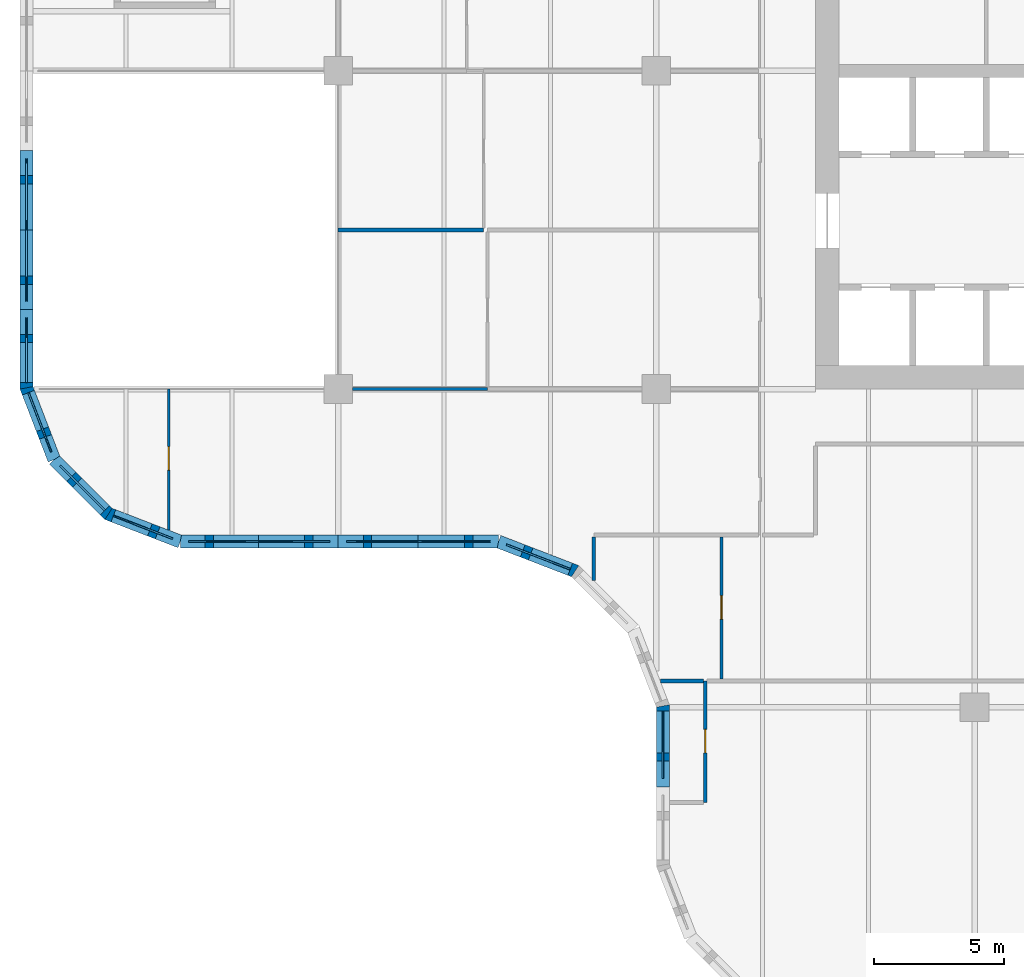
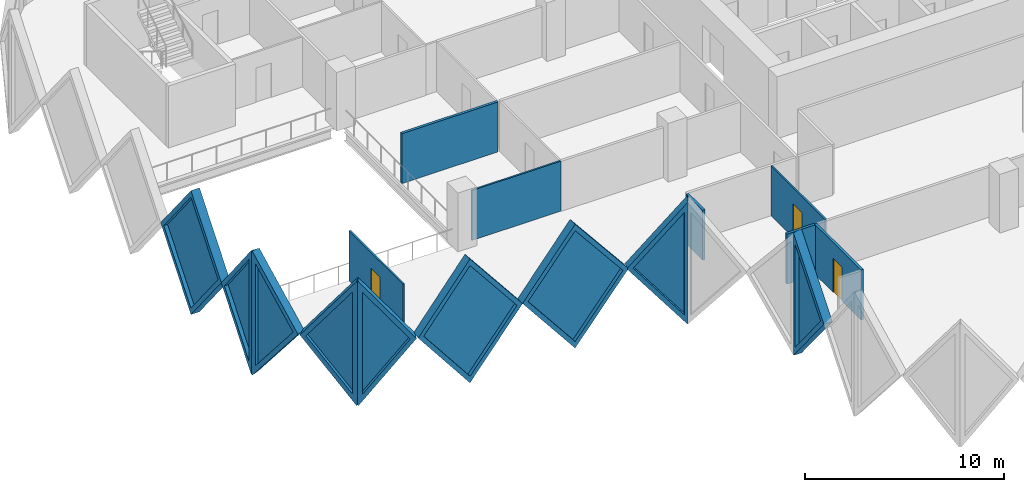
# One storey, part 4 of 18: 16 walls, 9 plates, 3 doors, 12 openings.
"""IFC4 building model written with IfcOpenShell, lengths in metres."""

from ifc_helpers import new_model, si_unit, direction, frame, frame_2d, origin, place, context, subcontext, project, spatial, polyline, rectangle, outline, extrude, faceted_brep, source, transform, mapped, material, layer, layer_set, type_object, element, fill, save


model = new_model("IFC4")

# Units and contexts
model_context = context("Model", 3, precision=1e-05, world=origin(), true_north=direction((0.0, 1.0)))
body_context = subcontext(model_context, "Body", "Model", "MODEL_VIEW")
ifc_project = project(units=[si_unit("LENGTHUNIT", "METRE"), si_unit("AREAUNIT", "SQUARE_METRE"), si_unit("VOLUMEUNIT", "CUBIC_METRE"), si_unit("PLANEANGLEUNIT", "RADIAN"), si_unit("MASSUNIT", "GRAM", prefix="KILO")], contexts=[model_context])

# Site, building, storey
site_placement = place(None, origin())
site = spatial("IfcSite", under=ifc_project, at=site_placement, CompositionType="ELEMENT")
building_placement = place(site_placement, origin())
building = spatial("IfcBuilding", under=site, at=building_placement, Name="Tessera Gate Towers", CompositionType="ELEMENT")
storey_placement = place(building_placement, frame((0.0, 0.0, 37.199951171875)))
storey = spatial("IfcBuildingStorey", under=building, at=storey_placement, Name="L08", CompositionType="ELEMENT", Elevation=37.199951171875)

# Wall, opening, door
ifc_material_1 = material(Name="Glass", Category="glass")
ifc_layer_1 = layer(ifc_material_1, 0.10009765625)
ifc_layer_set_1 = layer_set([ifc_layer_1], Name="GLAZED PARTITION 100")
wall_type_1 = type_object("IfcWallType", Name="GLAZED PARTITION 100", PredefinedType="PARTITIONING", material=ifc_layer_set_1)
wall_1_placement = place(storey_placement, frame((5.699951171875, 18.990234375, 0.0), z_axis=(0.0, 0.0, 1.0), x_axis=(0.0, 1.0, 0.0)))
wall_1 = element("IfcWall", 1, at=wall_1_placement, inside=storey, type_object=wall_type_1, Name="T1-L08-PW-021", PredefinedType="PARTITIONING", context=body_context, shape_type="SweptSolid", body=[
    extrude(rectangle(XDim=5.40966796875, YDim=0.10009765625, at=frame_2d((2.704833984375, 0.0))), origin(), (0.0, 0.0, 1.0), 3.067138671875),
])
shared_shape_1 = source(origin(), body_context, "Body", "SweptSolid", [
    extrude(rectangle(XDim=0.89990234375, YDim=2.10009765625, at=frame_2d((0.449951171875, 1.050048828125))), frame((0.0, 0.06005859375, 0.0), z_axis=(0.0, -1.0, 0.0), x_axis=(1.0, 0.0, 0.0)), (0.0, 0.0, 1.0), 0.1201171875),
])
opening_1_placement = place(wall_1_placement, frame((2.300048828125, 0.0, 0.0)))
opening_1 = element("IfcOpeningElement", 2, at=opening_1_placement, cuts=wall_1, Name="Opening D690-A03-01", PredefinedType="OPENING", context=body_context, shape_type="MappedRepresentation", body=[
    mapped(shared_shape_1, transform((0.0, 0.0, 0.0), scale=1.0)),
])
ifc_material_2 = material(Name="Glass in aluminium frame", Category="aluminium")
door_type_1 = type_object("IfcDoorType", Name="GLAZED DOOR 900 NOT RATED", OperationType="NOTDEFINED", PredefinedType="DOOR", material=ifc_material_2)
shared_shape_2 = source(origin(), body_context, "Body", "SweptSolid", [
    extrude(rectangle(XDim=0.89990234375, YDim=2.10009765625, at=frame_2d((0.449951171875, 1.050048828125))), frame((0.0, 0.02490234375, 0.0), z_axis=(0.0, -1.0, 0.0), x_axis=(1.0, 0.0, 0.0)), (0.0, 0.0, 1.0), 0.050048828125),
])
door_1_placement = place(opening_1_placement, origin())
door_1 = element("IfcDoor", 3, at=door_1_placement, inside=storey, type_object=door_type_1, Name="T1-L08-PD-008", OperationType="SINGLE_SWING_LEFT", OverallHeight=2.10009765625, OverallWidth=0.89990234375, PredefinedType="DOOR", context=body_context, shape_type="MappedRepresentation", body=[
    mapped(shared_shape_2, transform((0.0, 0.0, 0.0), scale=1.0)),
])
fill(opening_1, door_1)

# Wall
wall_2_placement = place(storey_placement, frame((12.7509765625, 24.39990234375, 0.0), z_axis=(0.0, 0.0, 1.0), x_axis=(1.0, 0.0, 0.0)))
element("IfcWall", 4, at=wall_2_placement, inside=storey, type_object=wall_type_1, Name="T1-L08-PW-026", PredefinedType="PARTITIONING", context=body_context, shape_type="SweptSolid", body=[
    extrude(rectangle(XDim=5.173095703125, YDim=0.10009765625, at=frame_2d((2.58642578125, 0.0))), origin(), (0.0, 0.0, 1.0), 3.067138671875),
])

# Wall, opening, door
ifc_material_3 = material(Name="Gypsum board on steel studs", Category="steel")
ifc_layer_2 = layer(ifc_material_3, 0.10009765625)
ifc_layer_set_2 = layer_set([ifc_layer_2], Name="PARTITION 100")
wall_type_2 = type_object("IfcWallType", Name="PARTITION 100", PredefinedType="PARTITIONING", material=ifc_layer_set_2)
wall_3_placement = place(storey_placement, frame((26.89990234375, 13.27587890625, 0.0), z_axis=(0.0, 0.0, 1.0), x_axis=(0.0, 1.0, 0.0)))
wall_3 = element("IfcWall", 5, at=wall_3_placement, inside=storey, type_object=wall_type_2, Name="T1-L08-PW-011", PredefinedType="PARTITIONING", context=body_context, shape_type="SweptSolid", body=[
    extrude(rectangle(XDim=5.4482421875, YDim=0.10009765625, at=frame_2d((2.72412109375, 0.0))), origin(), (0.0, 0.0, 1.0), 3.067138671875),
])
opening_2_placement = place(wall_3_placement, frame((2.300048828125, 0.0, 0.0)))
opening_2 = element("IfcOpeningElement", 6, at=opening_2_placement, cuts=wall_3, Name="Opening D190-A03-06", PredefinedType="OPENING", context=body_context, shape_type="MappedRepresentation", body=[
    mapped(shared_shape_1, transform((0.0, 0.0, 0.0), scale=1.0)),
])
ifc_material_4 = material(Name="Timber door leaf in steel frame", Category="steel")
door_type_2 = type_object("IfcDoorType", Name="INTERNAL DOOR 900 NOT RATED", OperationType="NOTDEFINED", PredefinedType="DOOR", material=ifc_material_4)
door_2_placement = place(opening_2_placement, origin())
door_2 = element("IfcDoor", 7, at=door_2_placement, inside=storey, type_object=door_type_2, Name="T1-L08-PD-009", OperationType="SINGLE_SWING_LEFT", OverallHeight=2.10009765625, OverallWidth=0.89990234375, PredefinedType="DOOR", context=body_context, shape_type="MappedRepresentation", body=[
    mapped(shared_shape_2, transform((0.0, 0.0, 0.0), scale=1.0)),
])
fill(opening_2, door_2)

ifc_material_5 = material(Name="Gypsum board on steel studs, mineral wool", Category="steel")
ifc_layer_3 = layer(ifc_material_5, 0.14990234375)
ifc_layer_set_3 = layer_set([ifc_layer_3], Name="TENANCY WALL 150")
wall_type_3 = type_object("IfcWallType", Name="TENANCY WALL 150", PredefinedType="PARTITIONING", material=ifc_layer_set_3)
wall_4_placement = place(storey_placement, frame((26.27490234375, 8.5478515625, 0.0), z_axis=(0.0, 0.0, 1.0), x_axis=(0.0, 1.0, 0.0)))
wall_4 = element("IfcWall", 8, at=wall_4_placement, inside=storey, type_object=wall_type_3, Name="T1-L08-PW-007", PredefinedType="PARTITIONING", context=body_context, shape_type="SweptSolid", body=[
    extrude(rectangle(XDim=4.652099609375, YDim=0.14990234375, at=frame_2d((2.326171875, 0.0))), origin(), (0.0, 0.0, 1.0), 3.067138671875),
])
shared_shape_3 = source(origin(), body_context, "Body", "SweptSolid", [
    extrude(rectangle(XDim=0.89990234375, YDim=2.10009765625, at=frame_2d((0.449951171875, 1.050048828125))), frame((0.0, 0.0849609375, 0.0), z_axis=(0.0, -1.0, 0.0), x_axis=(1.0, 0.0, 0.0)), (0.0, 0.0, 1.0), 0.169921875),
])
opening_3_placement = place(wall_4_placement, frame((1.89990234375, 0.0, 0.0)))
opening_3 = element("IfcOpeningElement", 9, at=opening_3_placement, cuts=wall_4, Name="Opening D190-A03-09", PredefinedType="OPENING", context=body_context, shape_type="MappedRepresentation", body=[
    mapped(shared_shape_3, transform((0.0, 0.0, 0.0), scale=1.0)),
])
door_3_placement = place(opening_3_placement, origin())
door_3 = element("IfcDoor", 10, at=door_3_placement, inside=storey, type_object=door_type_2, Name="T1-L08-PD-015", OperationType="SINGLE_SWING_LEFT", OverallHeight=2.10009765625, OverallWidth=0.89990234375, PredefinedType="DOOR", context=body_context, shape_type="MappedRepresentation", body=[
    mapped(shared_shape_2, transform((0.0, 0.0, 0.0), scale=1.0)),
])
fill(opening_3, door_3)

# Walls
wall_5_placement = place(storey_placement, frame((24.55029296875, 13.199951171875, 0.0), z_axis=(0.0, 0.0, 1.0), x_axis=(1.0, 0.0, 0.0)))
element("IfcWall", 11, at=wall_5_placement, inside=storey, type_object=wall_type_3, Name="T1-L08-PW-009", PredefinedType="PARTITIONING", context=body_context, shape_type="SweptSolid", body=[
    extrude(rectangle(XDim=1.648681640625, YDim=0.14990234375, at=frame_2d((0.82421875, 0.0))), origin(), (0.0, 0.0, 1.0), 3.067138671875),
])
wall_6_placement = place(storey_placement, frame((22.0, 17.054931640625, 0.0), z_axis=(0.0, 0.0, 1.0), x_axis=(0.0, 1.0, 0.0)))
element("IfcWall", 12, at=wall_6_placement, inside=storey, type_object=wall_type_3, Name="T1-L08-PW-015", PredefinedType="PARTITIONING", context=body_context, shape_type="SweptSolid", body=[
    extrude(rectangle(XDim=1.669189453125, YDim=0.14990234375, at=frame_2d((0.83447265625, 0.0))), origin(), (0.0, 0.0, 1.0), 3.067138671875),
])
wall_7_placement = place(storey_placement, frame((12.199951171875, 30.5, 0.0), z_axis=(0.0, 0.0, 1.0), x_axis=(1.0, 0.0, 0.0)))
element("IfcWall", 13, at=wall_7_placement, inside=storey, type_object=wall_type_3, Name="T1-L08-PW-030", PredefinedType="PARTITIONING", context=body_context, shape_type="SweptSolid", body=[
    extrude(rectangle(XDim=5.574951171875, YDim=0.14990234375, at=frame_2d((2.78759765625, 0.0))), origin(), (0.0, 0.0, 1.0), 3.067138671875),
])

# Wall, opening, plate
ifc_material_6 = material(Name="Precast concrete C60/75 white", Category="concrete")
ifc_layer_4 = layer(ifc_material_6, 0.5)
ifc_layer_set_4 = layer_set([ifc_layer_4], Name="TS1 tessera")
wall_type_4 = type_object("IfcWallType", Name="TS1 tessera", PredefinedType="SOLIDWALL", material=ifc_layer_set_4)
shared_shape_4 = source(origin(), body_context, "Body", "Brep", [
    faceted_brep([(3.00341796875, -0.25, 0.0), (6.053466796875, -0.25, 3.800048828125), (3.00341796875, -0.25, 7.60009765625), (0.0, -0.25, 3.800048828125), (0.046630859375, 0.25, 3.85888671875), (3.00341796875, 0.25, 7.60009765625), (6.053466796875, 0.25, 3.800048828125), (3.00341796875, 0.25, 0.0), (0.046630859375, 0.25, 3.7412109375), (0.0, 0.0, 3.800048828125)], [[[0, 1, 2, 3]], [[4, 5, 6, 7, 8]], [[7, 6, 1, 0]], [[6, 5, 2, 1]], [[5, 4, 9, 3, 2]], [[8, 7, 0, 3, 9]], [[8, 9, 4]]]),
])
wall_8_placement = place(storey_placement, frame((6.146484375, 18.550048828125, -3.800048828125), z_axis=(0.0, 0.0, 1.0), x_axis=(1.0, 0.0, 0.0)))
wall_8 = element("IfcWall", 14, at=wall_8_placement, inside=storey, type_object=wall_type_4, Name="Precast tessera T1 TS1-0090", PredefinedType="SOLIDWALL", context=body_context, shape_type="MappedRepresentation", body=[
    mapped(shared_shape_4, transform((0.0, 0.0, 0.0), scale=1.0)),
])
shared_shape_5 = source(origin(), body_context, "Body", "SweptSolid", [
    extrude(outline(polyline([(3.0048828125, 0.4013671875), (5.73291015625, 3.800048828125), (3.0048828125, 7.19873046875), (0.318603515625, 3.800048828125), (3.0048828125, 0.4013671875)])), frame((0.0, 0.260009765625, 0.0), z_axis=(0.0, -1.0, 0.0), x_axis=(1.0, 0.0, 0.0)), (0.0, 0.0, 1.0), 0.52001953125),
])
opening_4_placement = place(wall_8_placement, origin())
opening_4 = element("IfcOpeningElement", 15, at=opening_4_placement, cuts=wall_8, Name="Opening T1-PL2-0178", PredefinedType="OPENING", context=body_context, shape_type="MappedRepresentation", body=[
    mapped(shared_shape_5, transform((0.0, 0.0, 0.0), scale=1.0)),
])
ifc_material_7 = material(Name="Low-e laminated glass", Category="glass")
ifc_layer_5 = layer(ifc_material_7, 0.06005859375)
ifc_layer_set_5 = layer_set([ifc_layer_5], Name="PL2 rhombic pane")
plate_type = type_object("IfcPlateType", Name="PL2 rhombic pane", PredefinedType="SHEET", material=ifc_layer_set_5)
shared_shape_6 = source(origin(), body_context, "Body", "SweptSolid", [
    extrude(outline(polyline([(3.0048828125, 0.4013671875), (5.73291015625, 3.800048828125), (3.0048828125, 7.19873046875), (0.318603515625, 3.800048828125), (3.0048828125, 0.4013671875)])), frame((0.0, 0.030029296875, 0.0), z_axis=(0.0, -1.0, 0.0), x_axis=(1.0, 0.0, 0.0)), (0.0, 0.0, 1.0), 0.06005859375),
])
plate_1_placement = place(opening_4_placement, origin())
plate_1 = element("IfcPlate", 16, at=plate_1_placement, inside=storey, type_object=plate_type, Name="Glass pane T1 PL2-0178", PredefinedType="SHEET", context=body_context, shape_type="MappedRepresentation", body=[
    mapped(shared_shape_6, transform((0.0, 0.0, 0.0), scale=1.0)),
])
fill(opening_4, plate_1)

shared_shape_7 = source(origin(), body_context, "Body", "SweptSolid", [
    extrude(outline(polyline([(3.050048828125, 0.0), (6.10009765625, 3.800048828125), (3.050048828125, 7.60009765625), (0.0, 3.800048828125), (3.050048828125, 0.0)])), frame((0.0, 0.25, 0.0), z_axis=(0.0, -1.0, 0.0), x_axis=(1.0, 0.0, 0.0)), (0.0, 0.0, 1.0), 0.5),
])
wall_9_placement = place(storey_placement, frame((0.25, 33.550048828125, -3.800048828125), z_axis=(0.0, 0.0, 1.0), x_axis=(0.0, -1.0, 0.0)))
wall_9 = element("IfcWall", 17, at=wall_9_placement, inside=storey, type_object=wall_type_4, Name="Precast tessera T1 TS1-0089", PredefinedType="SOLIDWALL", context=body_context, shape_type="MappedRepresentation", body=[
    mapped(shared_shape_7, transform((0.0, 0.0, 0.0), scale=1.0)),
])
shared_shape_8 = source(origin(), body_context, "Body", "SweptSolid", [
    extrude(outline(polyline([(3.050048828125, 0.3994140625), (5.779541015625, 3.800048828125), (3.050048828125, 7.20068359375), (0.320556640625, 3.800048828125), (3.050048828125, 0.3994140625)])), frame((0.0, 0.260009765625, 0.0), z_axis=(0.0, -1.0, 0.0), x_axis=(1.0, 0.0, 0.0)), (0.0, 0.0, 1.0), 0.52001953125),
])
opening_5_placement = place(wall_9_placement, origin())
opening_5 = element("IfcOpeningElement", 18, at=opening_5_placement, cuts=wall_9, Name="Opening T1-PL2-0173", PredefinedType="OPENING", context=body_context, shape_type="MappedRepresentation", body=[
    mapped(shared_shape_8, transform((0.0, 0.0, 0.0), scale=1.0)),
])
shared_shape_9 = source(origin(), body_context, "Body", "SweptSolid", [
    extrude(outline(polyline([(3.050048828125, 0.3994140625), (5.779541015625, 3.800048828125), (3.050048828125, 7.20068359375), (0.320556640625, 3.800048828125), (3.050048828125, 0.3994140625)])), frame((0.0, 0.030029296875, 0.0), z_axis=(0.0, -1.0, 0.0), x_axis=(1.0, 0.0, 0.0)), (0.0, 0.0, 1.0), 0.06005859375),
])
plate_2_placement = place(opening_5_placement, origin())
plate_2 = element("IfcPlate", 19, at=plate_2_placement, inside=storey, type_object=plate_type, Name="Glass pane T1 PL2-0173", PredefinedType="SHEET", context=body_context, shape_type="MappedRepresentation", body=[
    mapped(shared_shape_9, transform((0.0, 0.0, 0.0), scale=1.0)),
])
fill(opening_5, plate_2)

ifc_material_8 = material(Name="Precast concrete C60/75 white", Category="concrete")
ifc_layer_6 = layer(ifc_material_8, 0.5)
ifc_layer_set_6 = layer_set([ifc_layer_6], Name="TS3 corner tessera")
wall_type_5 = type_object("IfcWallType", Name="TS3 corner tessera", PredefinedType="SOLIDWALL", material=ifc_layer_set_6)
shared_shape_10 = source(origin(), body_context, "Body", "Brep", [
    faceted_brep([(3.00341796875, -0.25, 0.0), (3.050048828125, -0.25, 0.06005859375), (3.050048828125, -0.25, 7.5400390625), (3.00341796875, -0.25, 7.60009765625), (0.0, -0.25, 3.800048828125), (0.0, 0.25, 3.800048828125), (2.956787109375, 0.25, 7.541259765625), (2.956787109375, 0.25, 0.058837890625), (3.00341796875, 0.000244140625, 0.0), (3.00341796875, 0.000244140625, 7.60009765625)], [[[0, 1, 2, 3, 4]], [[5, 6, 7]], [[1, 0, 8]], [[9, 3, 2]], [[6, 5, 4, 3, 9]], [[5, 7, 8, 0, 4]], [[1, 8, 7, 6, 9, 2]]]),
])
wall_10_placement = place(storey_placement, frame((0.25, 27.449951171875, -3.800048828125), z_axis=(0.0, 0.0, 1.0), x_axis=(0.0, -1.0, 0.0)))
wall_10 = element("IfcWall", 20, at=wall_10_placement, inside=storey, type_object=wall_type_5, Name="Precast corner tessera T1 TS3-0157", PredefinedType="SOLIDWALL", context=body_context, shape_type="MappedRepresentation", body=[
    mapped(shared_shape_10, transform((0.0, 0.0, 0.0), scale=1.0)),
])
shared_shape_11 = source(origin(), body_context, "Body", "SweptSolid", [
    extrude(outline(polyline([(2.803466796875, 6.94384765625), (0.318603515625, 3.800048828125), (2.803466796875, 0.65625), (2.803466796875, 6.94384765625)])), frame((0.0, 0.260009765625, 0.0), z_axis=(0.0, -1.0, 0.0), x_axis=(1.0, 0.0, 0.0)), (0.0, 0.0, 1.0), 0.52001953125),
])
opening_6_placement = place(wall_10_placement, origin())
opening_6 = element("IfcOpeningElement", 21, at=opening_6_placement, cuts=wall_10, Name="Opening T1-PL2-0174", PredefinedType="OPENING", context=body_context, shape_type="MappedRepresentation", body=[
    mapped(shared_shape_11, transform((0.0, 0.0, 0.0), scale=1.0)),
])
shared_shape_12 = source(origin(), body_context, "Body", "SweptSolid", [
    extrude(outline(polyline([(2.803466796875, 6.94384765625), (0.318603515625, 3.800048828125), (2.803466796875, 0.65625), (2.803466796875, 6.94384765625)])), frame((0.0, 0.030029296875, 0.0), z_axis=(0.0, -1.0, 0.0), x_axis=(1.0, 0.0, 0.0)), (0.0, 0.0, 1.0), 0.06005859375),
])
plate_3_placement = place(opening_6_placement, origin())
plate_3 = element("IfcPlate", 22, at=plate_3_placement, inside=storey, type_object=plate_type, Name="Glass pane T1 PL2-0174", PredefinedType="SHEET", context=body_context, shape_type="MappedRepresentation", body=[
    mapped(shared_shape_12, transform((0.0, 0.0, 0.0), scale=1.0)),
])
fill(opening_6, plate_3)

shared_shape_13 = source(origin(), body_context, "Body", "Brep", [
    faceted_brep([(0.046630859375, -0.25, 0.0), (2.9970703125, -0.25, 3.800048828125), (0.046630859375, -0.25, 7.60009765625), (0.0, -0.25, 7.541259765625), (0.0, -0.25, 0.058837890625), (0.09326171875, 0.25, 7.5400390625), (2.9443359375, 0.25, 3.8681640625), (2.9443359375, 0.25, 3.73193359375), (0.09326171875, 0.25, 0.06005859375), (2.9970703125, 0.00048828125, 3.800048828125), (0.046630859375, 0.0, 0.0), (0.046630859375, 0.0, 7.60009765625)], [[[0, 1, 2, 3, 4]], [[5, 6, 7, 8]], [[8, 7, 9, 1, 0, 10]], [[6, 5, 11, 2, 1, 9]], [[3, 2, 11]], [[10, 0, 4]], [[8, 10, 4, 3, 11, 5]], [[9, 7, 6]]]),
])
wall_11_placement = place(storey_placement, frame((0.233154296875, 24.489990234375, -3.800048828125), z_axis=(0.0, 0.0, 1.0), x_axis=(0.359901446078, -0.932990326376, 0.0)))
wall_11 = element("IfcWall", 23, at=wall_11_placement, inside=storey, type_object=wall_type_5, Name="Precast corner tessera T1 TS3-0158", PredefinedType="SOLIDWALL", context=body_context, shape_type="MappedRepresentation", body=[
    mapped(shared_shape_13, transform((0.0, 0.0, 0.0), scale=1.0)),
])
shared_shape_14 = source(origin(), body_context, "Body", "SweptSolid", [
    extrude(outline(polyline([(0.24658203125, 0.665283203125), (2.6806640625, 3.800048828125), (0.24658203125, 6.934814453125), (0.24658203125, 0.665283203125)])), frame((0.0, 0.260009765625, 0.0), z_axis=(0.0, -1.0, 0.0), x_axis=(1.0, 0.0, 0.0)), (0.0, 0.0, 1.0), 0.52001953125),
])
opening_7_placement = place(wall_11_placement, origin())
opening_7 = element("IfcOpeningElement", 24, at=opening_7_placement, cuts=wall_11, Name="Opening T1-PL2-0175", PredefinedType="OPENING", context=body_context, shape_type="MappedRepresentation", body=[
    mapped(shared_shape_14, transform((0.0, 0.0, 0.0), scale=1.0)),
])
shared_shape_15 = source(origin(), body_context, "Body", "SweptSolid", [
    extrude(outline(polyline([(0.24658203125, 0.665283203125), (2.6806640625, 3.800048828125), (0.24658203125, 6.934814453125), (0.24658203125, 0.665283203125)])), frame((0.0, 0.030029296875, 0.0), z_axis=(0.0, -1.0, 0.0), x_axis=(1.0, 0.0, 0.0)), (0.0, 0.0, 1.0), 0.06005859375),
])
plate_4_placement = place(opening_7_placement, origin())
plate_4 = element("IfcPlate", 25, at=plate_4_placement, inside=storey, type_object=plate_type, Name="Glass pane T1 PL2-0175", PredefinedType="SHEET", context=body_context, shape_type="MappedRepresentation", body=[
    mapped(shared_shape_15, transform((0.0, 0.0, 0.0), scale=1.0)),
])
fill(opening_7, plate_4)

shared_shape_16 = source(origin(), body_context, "Body", "Brep", [
    faceted_brep([(0.052978515625, -0.25, 0.0), (3.00341796875, -0.25, 3.800048828125), (0.052978515625, -0.25, 7.60009765625), (0.0, -0.25, 7.53173828125), (0.0, -0.25, 0.068359375), (0.10595703125, 0.25, 7.531982421875), (2.95703125, 0.25, 3.85986328125), (2.95703125, 0.25, 3.740234375), (0.10595703125, 0.25, 0.068115234375), (3.00341796875, 0.00048828125, 3.800048828125), (0.052978515625, 0.0, 0.0), (0.052978515625, 0.0, 7.60009765625)], [[[0, 1, 2, 3, 4]], [[5, 6, 7, 8]], [[8, 7, 9, 1, 0, 10]], [[6, 5, 11, 2, 1, 9]], [[3, 2, 11]], [[10, 0, 4]], [[8, 10, 4, 3, 11, 5]], [[9, 7, 6]]]),
])
wall_12_placement = place(storey_placement, frame((3.34423828125, 19.630859375, -3.800048828125), z_axis=(0.0, 0.0, 1.0), x_axis=(0.933007896601, -0.359855894603, 0.0)))
wall_12 = element("IfcWall", 26, at=wall_12_placement, inside=storey, type_object=wall_type_5, Name="Precast corner tessera T1 TS3-0160", PredefinedType="SOLIDWALL", context=body_context, shape_type="MappedRepresentation", body=[
    mapped(shared_shape_16, transform((0.0, 0.0, 0.0), scale=1.0)),
])
shared_shape_17 = source(origin(), body_context, "Body", "SweptSolid", [
    extrude(outline(polyline([(0.2529296875, 0.665283203125), (2.68701171875, 3.800048828125), (0.2529296875, 6.934814453125), (0.2529296875, 0.665283203125)])), frame((0.0, 0.260009765625, 0.0), z_axis=(0.0, -1.0, 0.0), x_axis=(1.0, 0.0, 0.0)), (0.0, 0.0, 1.0), 0.52001953125),
])
opening_8_placement = place(wall_12_placement, origin())
opening_8 = element("IfcOpeningElement", 27, at=opening_8_placement, cuts=wall_12, Name="Opening T1-PL2-0177", PredefinedType="OPENING", context=body_context, shape_type="MappedRepresentation", body=[
    mapped(shared_shape_17, transform((0.0, 0.0, 0.0), scale=1.0)),
])
shared_shape_18 = source(origin(), body_context, "Body", "SweptSolid", [
    extrude(outline(polyline([(0.2529296875, 0.665283203125), (2.68701171875, 3.800048828125), (0.2529296875, 6.934814453125), (0.2529296875, 0.665283203125)])), frame((0.0, 0.030029296875, 0.0), z_axis=(0.0, -1.0, 0.0), x_axis=(1.0, 0.0, 0.0)), (0.0, 0.0, 1.0), 0.06005859375),
])
plate_5_placement = place(opening_8_placement, origin())
plate_5 = element("IfcPlate", 28, at=plate_5_placement, inside=storey, type_object=plate_type, Name="Glass pane T1 PL2-0177", PredefinedType="SHEET", context=body_context, shape_type="MappedRepresentation", body=[
    mapped(shared_shape_18, transform((0.0, 0.0, 0.0), scale=1.0)),
])
fill(opening_8, plate_5)

shared_shape_19 = source(origin(), body_context, "Body", "Brep", [
    faceted_brep([(2.944091796875, -0.25, 0.0), (2.9970703125, -0.25, 0.068115234375), (2.9970703125, -0.25, 7.531982421875), (2.944091796875, -0.25, 7.60009765625), (0.0, -0.25, 3.800048828125), (0.052978515625, 0.25, 3.868408203125), (2.89111328125, 0.25, 7.531982421875), (2.89111328125, 0.25, 0.068115234375), (0.052978515625, 0.25, 3.731689453125), (2.944091796875, 0.000244140625, 0.0), (2.944091796875, 0.000244140625, 7.60009765625), (0.0, 0.0, 3.800048828125)], [[[0, 1, 2, 3, 4]], [[5, 6, 7, 8]], [[1, 0, 9]], [[10, 3, 2]], [[6, 5, 11, 4, 3, 10]], [[8, 7, 9, 0, 4, 11]], [[8, 11, 5]], [[1, 9, 7, 6, 10, 2]]]),
])
wall_13_placement = place(storey_placement, frame((1.31201171875, 21.69384765625, -3.800048828125), z_axis=(0.0, 0.0, 1.0), x_axis=(0.707066050402, -0.707147509625, 0.0)))
wall_13 = element("IfcWall", 29, at=wall_13_placement, inside=storey, type_object=wall_type_5, Name="Precast corner tessera T1 TS3-0159", PredefinedType="SOLIDWALL", context=body_context, shape_type="MappedRepresentation", body=[
    mapped(shared_shape_19, transform((0.0, 0.0, 0.0), scale=1.0)),
])
shared_shape_20 = source(origin(), body_context, "Body", "SweptSolid", [
    extrude(outline(polyline([(2.744140625, 6.933837890625), (0.316162109375, 3.800048828125), (2.744140625, 0.66650390625), (2.744140625, 6.933837890625)])), frame((0.0, 0.260009765625, 0.0), z_axis=(0.0, -1.0, 0.0), x_axis=(1.0, 0.0, 0.0)), (0.0, 0.0, 1.0), 0.52001953125),
])
opening_9_placement = place(wall_13_placement, origin())
opening_9 = element("IfcOpeningElement", 30, at=opening_9_placement, cuts=wall_13, Name="Opening T1-PL2-0176", PredefinedType="OPENING", context=body_context, shape_type="MappedRepresentation", body=[
    mapped(shared_shape_20, transform((0.0, 0.0, 0.0), scale=1.0)),
])
shared_shape_21 = source(origin(), body_context, "Body", "SweptSolid", [
    extrude(outline(polyline([(2.744140625, 6.933837890625), (0.316162109375, 3.800048828125), (2.744140625, 0.66650390625), (2.744140625, 6.933837890625)])), frame((0.0, 0.030029296875, 0.0), z_axis=(0.0, -1.0, 0.0), x_axis=(1.0, 0.0, 0.0)), (0.0, 0.0, 1.0), 0.06005859375),
])
plate_6_placement = place(opening_9_placement, origin())
plate_6 = element("IfcPlate", 31, at=plate_6_placement, inside=storey, type_object=plate_type, Name="Glass pane T1 PL2-0176", PredefinedType="SHEET", context=body_context, shape_type="MappedRepresentation", body=[
    mapped(shared_shape_21, transform((0.0, 0.0, 0.0), scale=1.0)),
])
fill(opening_9, plate_6)

shared_shape_22 = source(origin(), body_context, "Body", "Brep", [
    faceted_brep([(3.050048828125, -0.25, 0.0), (6.10009765625, -0.25, 3.742919921875), (6.10009765625, -0.25, 3.857177734375), (3.050048828125, -0.25, 7.60009765625), (0.0, -0.25, 3.800048828125), (0.0, 0.25, 3.800048828125), (3.050048828125, 0.25, 7.60009765625), (6.146484375, 0.25, 3.800048828125), (3.050048828125, 0.25, 0.0), (6.146484375, -0.000244140625, 3.800048828125)], [[[0, 1, 2, 3, 4]], [[5, 6, 7, 8]], [[8, 7, 9, 1, 0]], [[7, 6, 3, 2, 9]], [[6, 5, 4, 3]], [[5, 8, 0, 4]], [[1, 9, 2]]]),
])
wall_14_placement = place(storey_placement, frame((12.199951171875, 18.550048828125, -3.800048828125), z_axis=(0.0, 0.0, 1.0), x_axis=(1.0, 0.0, 0.0)))
wall_14 = element("IfcWall", 32, at=wall_14_placement, inside=storey, type_object=wall_type_4, Name="Precast tessera T1 TS1-0091", PredefinedType="SOLIDWALL", context=body_context, shape_type="MappedRepresentation", body=[
    mapped(shared_shape_22, transform((0.0, 0.0, 0.0), scale=1.0)),
])
shared_shape_23 = source(origin(), body_context, "Body", "SweptSolid", [
    extrude(outline(polyline([(3.051513671875, 0.397705078125), (5.823974609375, 3.800048828125), (3.051513671875, 7.20263671875), (0.320556640625, 3.800048828125), (3.051513671875, 0.397705078125)])), frame((0.0, 0.260009765625, 0.0), z_axis=(0.0, -1.0, 0.0), x_axis=(1.0, 0.0, 0.0)), (0.0, 0.0, 1.0), 0.52001953125),
])
opening_10_placement = place(wall_14_placement, origin())
opening_10 = element("IfcOpeningElement", 33, at=opening_10_placement, cuts=wall_14, Name="Opening T1-PL2-0179", PredefinedType="OPENING", context=body_context, shape_type="MappedRepresentation", body=[
    mapped(shared_shape_23, transform((0.0, 0.0, 0.0), scale=1.0)),
])
shared_shape_24 = source(origin(), body_context, "Body", "SweptSolid", [
    extrude(outline(polyline([(3.051513671875, 0.397705078125), (5.823974609375, 3.800048828125), (3.051513671875, 7.20263671875), (0.320556640625, 3.800048828125), (3.051513671875, 0.397705078125)])), frame((0.0, 0.030029296875, 0.0), z_axis=(0.0, -1.0, 0.0), x_axis=(1.0, 0.0, 0.0)), (0.0, 0.0, 1.0), 0.06005859375),
])
plate_7_placement = place(opening_10_placement, origin())
plate_7 = element("IfcPlate", 34, at=plate_7_placement, inside=storey, type_object=plate_type, Name="Glass pane T1 PL2-0179", PredefinedType="SHEET", context=body_context, shape_type="MappedRepresentation", body=[
    mapped(shared_shape_24, transform((0.0, 0.0, 0.0), scale=1.0)),
])
fill(opening_10, plate_7)

shared_shape_25 = source(origin(), body_context, "Body", "Brep", [
    faceted_brep([(3.096435546875, -0.25, 7.536376953125), (0.046630859375, -0.25, 3.856201171875), (0.046630859375, -0.25, 3.743896484375), (3.096435546875, -0.25, 0.063720703125), (0.0, 0.25, 3.800048828125), (3.1494140625, 0.25, 7.60009765625), (3.202392578125, 0.25, 7.536376953125), (3.202392578125, 0.25, 0.063720703125), (3.1494140625, 0.25, 0.0), (3.1494140625, -0.000244140625, 0.0), (3.1494140625, -0.000244140625, 7.60009765625), (0.0, 0.0, 3.800048828125)], [[[0, 1, 2, 3]], [[4, 5, 6, 7, 8]], [[8, 7, 9]], [[6, 5, 10]], [[5, 4, 11, 1, 0, 10]], [[4, 8, 9, 3, 2, 11]], [[11, 2, 1]], [[3, 9, 7, 6, 10, 0]]]),
])
wall_15_placement = place(storey_placement, frame((18.346435546875, 18.550048828125, -3.800048828125), z_axis=(0.0, 0.0, 1.0), x_axis=(0.932985567668, -0.359913782069, 0.0)))
wall_15 = element("IfcWall", 35, at=wall_15_placement, inside=storey, type_object=wall_type_5, Name="Precast corner tessera T1 TS3-0161", PredefinedType="SOLIDWALL", context=body_context, shape_type="MappedRepresentation", body=[
    mapped(shared_shape_25, transform((0.0, 0.0, 0.0), scale=1.0)),
])
shared_shape_26 = source(origin(), body_context, "Body", "SweptSolid", [
    extrude(outline(polyline([(2.949462890625, 6.967041015625), (0.32470703125, 3.800048828125), (2.949462890625, 0.63330078125), (2.949462890625, 6.967041015625)])), frame((0.0, 0.260009765625, 0.0), z_axis=(0.0, -1.0, 0.0), x_axis=(1.0, 0.0, 0.0)), (0.0, 0.0, 1.0), 0.52001953125),
])
opening_11_placement = place(wall_15_placement, origin())
opening_11 = element("IfcOpeningElement", 36, at=opening_11_placement, cuts=wall_15, Name="Opening T1-PL2-0180", PredefinedType="OPENING", context=body_context, shape_type="MappedRepresentation", body=[
    mapped(shared_shape_26, transform((0.0, 0.0, 0.0), scale=1.0)),
])
shared_shape_27 = source(origin(), body_context, "Body", "SweptSolid", [
    extrude(outline(polyline([(2.949462890625, 6.967041015625), (0.32470703125, 3.800048828125), (2.949462890625, 0.63330078125), (2.949462890625, 6.967041015625)])), frame((0.0, 0.030029296875, 0.0), z_axis=(0.0, -1.0, 0.0), x_axis=(1.0, 0.0, 0.0)), (0.0, 0.0, 1.0), 0.06005859375),
])
plate_8_placement = place(opening_11_placement, origin())
plate_8 = element("IfcPlate", 37, at=plate_8_placement, inside=storey, type_object=plate_type, Name="Glass pane T1 PL2-0180", PredefinedType="SHEET", context=body_context, shape_type="MappedRepresentation", body=[
    mapped(shared_shape_27, transform((0.0, 0.0, 0.0), scale=1.0)),
])
fill(opening_11, plate_8)

shared_shape_28 = source(origin(), body_context, "Body", "Brep", [
    faceted_brep([(0.09326171875, -0.25, 0.05712890625), (3.14306640625, -0.25, 3.800048828125), (0.09326171875, -0.25, 7.54296875), (0.0, 0.25, 7.5439453125), (0.046630859375, 0.25, 7.60009765625), (3.14306640625, 0.25, 3.800048828125), (0.046630859375, 0.25, 0.0), (0.0, 0.25, 0.05615234375), (0.046630859375, 0.0, 0.0), (0.046630859375, 0.0, 7.60009765625)], [[[0, 1, 2]], [[3, 4, 5, 6, 7]], [[6, 5, 1, 0, 8]], [[5, 4, 9, 2, 1]], [[4, 3, 9]], [[7, 6, 8]], [[7, 8, 0, 2, 9, 3]]]),
])
wall_16_placement = place(storey_placement, frame((24.64990234375, 12.293212890625, -3.800048828125), z_axis=(0.0, 0.0, 1.0), x_axis=(0.0, -1.0, 0.0)))
wall_16 = element("IfcWall", 38, at=wall_16_placement, inside=storey, type_object=wall_type_5, Name="Precast corner tessera T1 TS3-0164", PredefinedType="SOLIDWALL", context=body_context, shape_type="MappedRepresentation", body=[
    mapped(shared_shape_28, transform((0.0, 0.0, 0.0), scale=1.0)),
])
shared_shape_29 = source(origin(), body_context, "Body", "SweptSolid", [
    extrude(outline(polyline([(0.24658203125, 0.641357421875), (2.82080078125, 3.800048828125), (0.24658203125, 6.958984375), (0.24658203125, 0.641357421875)])), frame((0.0, 0.260009765625, 0.0), z_axis=(0.0, -1.0, 0.0), x_axis=(1.0, 0.0, 0.0)), (0.0, 0.0, 1.0), 0.52001953125),
])
opening_12_placement = place(wall_16_placement, origin())
opening_12 = element("IfcOpeningElement", 39, at=opening_12_placement, cuts=wall_16, Name="Opening T1-PL2-0183", PredefinedType="OPENING", context=body_context, shape_type="MappedRepresentation", body=[
    mapped(shared_shape_29, transform((0.0, 0.0, 0.0), scale=1.0)),
])
shared_shape_30 = source(origin(), body_context, "Body", "SweptSolid", [
    extrude(outline(polyline([(0.24658203125, 0.641357421875), (2.82080078125, 3.800048828125), (0.24658203125, 6.958984375), (0.24658203125, 0.641357421875)])), frame((0.0, 0.030029296875, 0.0), z_axis=(0.0, -1.0, 0.0), x_axis=(1.0, 0.0, 0.0)), (0.0, 0.0, 1.0), 0.06005859375),
])
plate_9_placement = place(opening_12_placement, origin())
plate_9 = element("IfcPlate", 40, at=plate_9_placement, inside=storey, type_object=plate_type, Name="Glass pane T1 PL2-0183", PredefinedType="SHEET", context=body_context, shape_type="MappedRepresentation", body=[
    mapped(shared_shape_30, transform((0.0, 0.0, 0.0), scale=1.0)),
])
fill(opening_12, plate_9)

save(model, "model.ifc")
